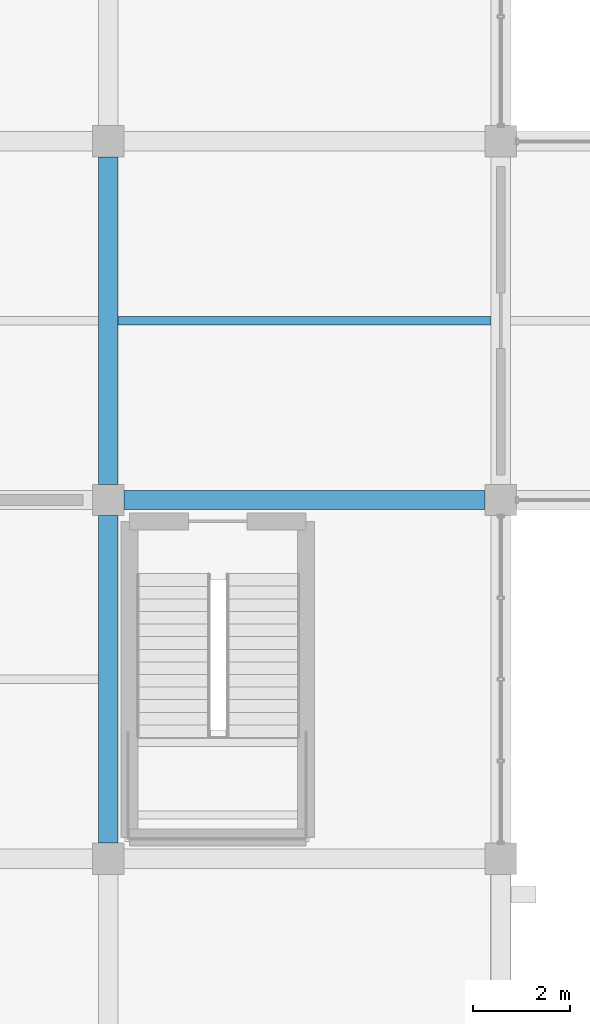
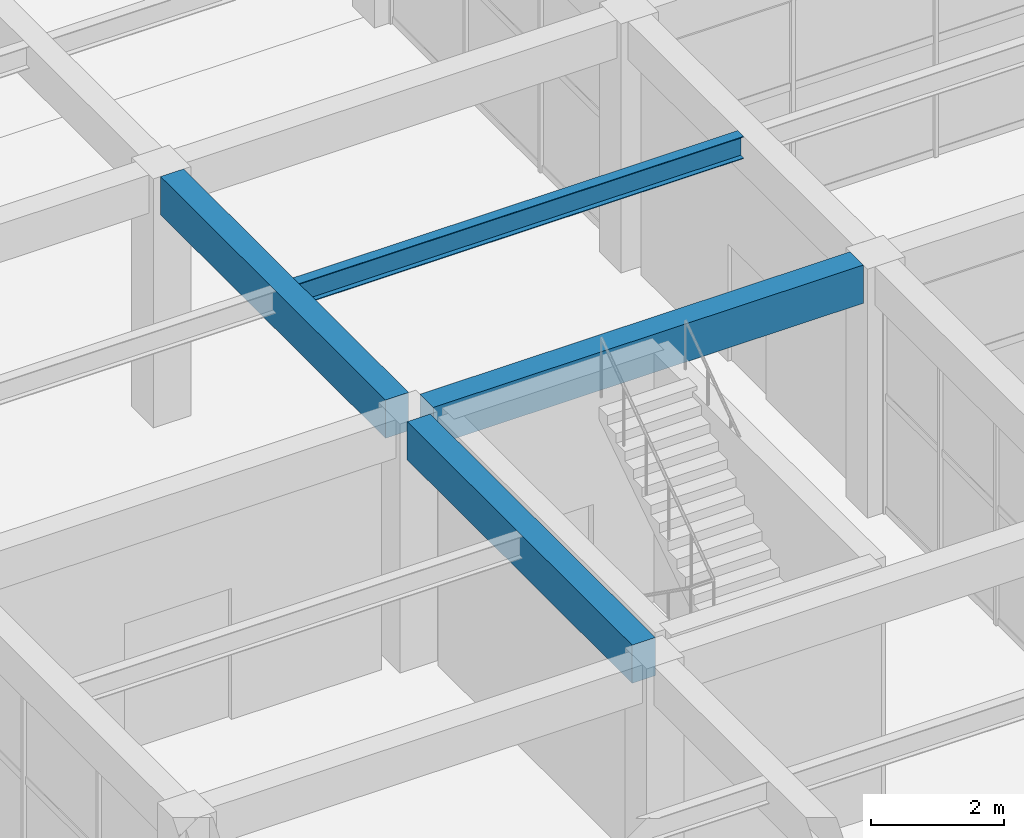
# One storey, part 63 of 161: 4 beams.
"""IFC4 building model written with IfcOpenShell, lengths in metres."""

from ifc_helpers import new_model, si_unit, direction, frame, origin, origin_2d, place, context, subcontext, project, spatial, rectangle, i_section, extrude, material, material_profile, profile_set, type_object, element, save


model = new_model("IFC4")

# Units and contexts
model_context = context("Model", 3, precision=1e-05, world=origin(), true_north=direction((0.0, 1.0)))
body_context = subcontext(model_context, "Body", "Model", "MODEL_VIEW")
ifc_project = project(units=[si_unit("LENGTHUNIT", "METRE"), si_unit("AREAUNIT", "SQUARE_METRE"), si_unit("VOLUMEUNIT", "CUBIC_METRE"), si_unit("PLANEANGLEUNIT", "RADIAN"), si_unit("MASSUNIT", "GRAM", prefix="KILO")], contexts=[model_context])

# Site, building, storey
site_placement = place(None, origin())
site = spatial("IfcSite", under=ifc_project, at=site_placement, CompositionType="ELEMENT")
building_placement = place(site_placement, origin())
building = spatial("IfcBuilding", under=site, at=building_placement, Name="Cimatlan Art Gallery", CompositionType="ELEMENT")
storey_placement = place(building_placement, frame((0.0, 0.0, 5.39990234375)))
storey = spatial("IfcBuildingStorey", under=building, at=storey_placement, Name="L01", CompositionType="ELEMENT", Elevation=5.39990234375)

# Beams
ifc_material_1 = material(Name="Concrete C40/50", Category="concrete")
ifc_material_profile_1 = material_profile(ifc_material_1, rectangle(XDim=0.39990234375, YDim=0.699951171875, at=origin_2d()), Name="RC400X700")
ifc_profile_set_1 = profile_set([ifc_material_profile_1], Name="Concrete C40/50")
beam_type_1 = type_object("IfcBeamType", Name="BM-RC-400X700", PredefinedType="BEAM", material=ifc_profile_set_1)
for number, where, z_axis, x_axis, name in (
    (1, (123.5, 46.425048828125, 4.210205078125), (0.0, 1.0, 0.0), (-1.0, 0.0, 0.0), "BM-Y-L01-15-06"),
    (2, (123.5, 53.824951171875, 4.210205078125), (0.0, 1.0, 0.0), (-1.0, 0.0, 0.0), "BM-Y-L01-15-07"),
):
    element("IfcBeam", number, at=place(storey_placement, frame(where, z_axis=z_axis, x_axis=x_axis)), inside=storey, type_object=beam_type_1, Name=name, PredefinedType="BEAM", context=body_context, shape_type="SweptSolid", body=[
        extrude(rectangle(XDim=0.39990234375, YDim=0.699951171875, at=origin_2d()), origin(), (0.0, 0.0, 1.0), 6.75),
    ])
beam_1_placement = place(storey_placement, frame((123.824951171875, 53.5, 4.210205078125), z_axis=(1.0, 0.0, 0.0), x_axis=(0.0, 1.0, 0.0)))
element("IfcBeam", 3, at=beam_1_placement, inside=storey, type_object=beam_type_1, Name="BM-X-L01-15-07", PredefinedType="BEAM", context=body_context, shape_type="SweptSolid", body=[
    extrude(rectangle(XDim=0.39990234375, YDim=0.699951171875, at=origin_2d()), origin(), (0.0, 0.0, 1.0), 7.449951171875),
])
ifc_material_2 = material(Name="Steel ASTM A992 Grade 50", Category="steel")
ifc_material_profile_2 = material_profile(ifc_material_2, i_section(OverallWidth=0.177978515625, OverallDepth=0.406982421875, WebThickness=0.0078125, FlangeThickness=0.0126953125, at=origin_2d()), Name="W16X40")
ifc_profile_set_2 = profile_set([ifc_material_profile_2], Name="Steel ASTM A992 Grade 50")
beam_type_2 = type_object("IfcBeamType", Name="BM-STL-W16X40", PredefinedType="JOIST", material=ifc_profile_set_2)
beam_2_placement = place(storey_placement, frame((123.699951171875, 57.199951171875, 4.356689453125), z_axis=(1.0, 0.0, 0.0), x_axis=(0.0, 1.0, 0.0)))
element("IfcBeam", 4, at=beam_2_placement, inside=storey, type_object=beam_type_2, Name="JST-L01-15-07", PredefinedType="JOIST", context=body_context, shape_type="SweptSolid", body=[
    extrude(i_section(OverallWidth=0.177978515625, OverallDepth=0.406982421875, WebThickness=0.0078125, FlangeThickness=0.0126953125, at=origin_2d()), origin(), (0.0, 0.0, 1.0), 7.699951171875),
])

save(model, "model.ifc")
